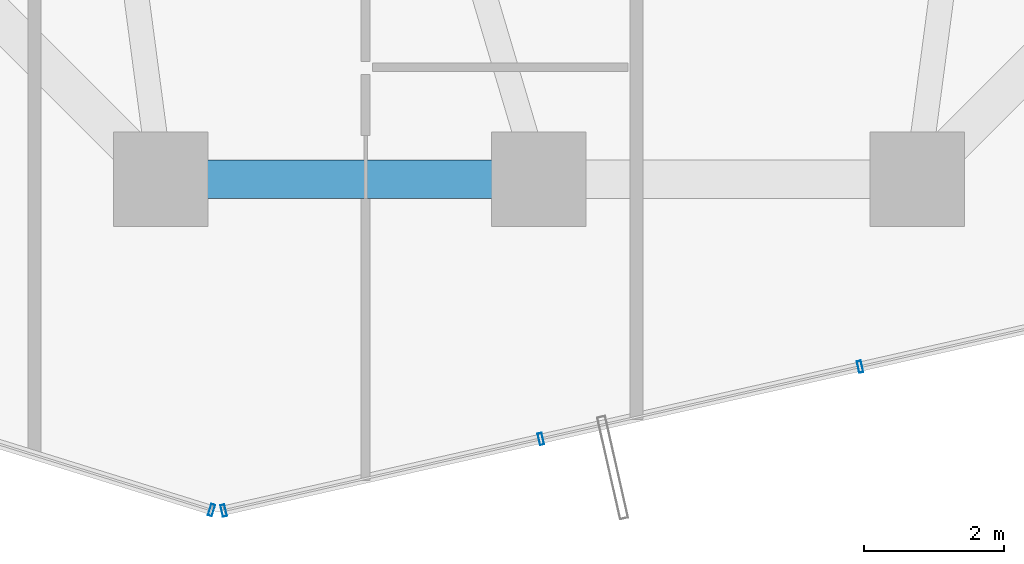
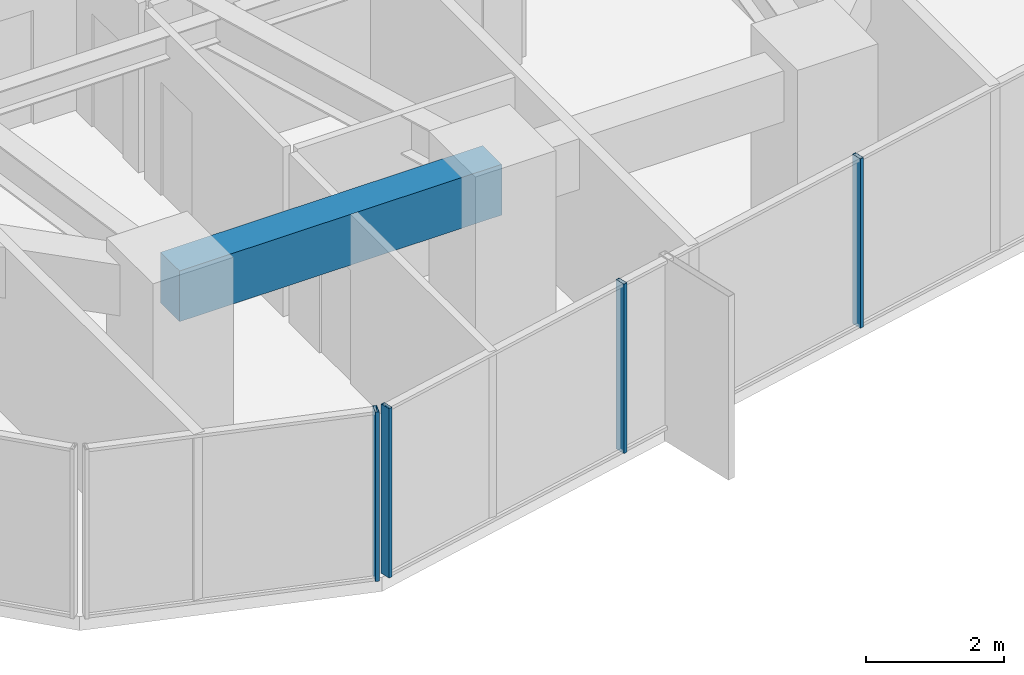
# One storey, part 6 of 39: 4 members, 1 beam, 2 elements without a shape of their own.
"""IFC4 building model written with IfcOpenShell, lengths in metres."""

from ifc_helpers import new_model, si_unit, direction, frame, origin, origin_2d, place, context, subcontext, project, spatial, rectangle, hollow_rectangle, extrude, source, transform, mapped, material, layer, layer_set, material_profile, profile_set, type_object, element, aggregate, save


model = new_model("IFC4")

# Units and contexts
model_context = context("Model", 3, precision=1e-05, world=origin(), true_north=direction((0.0, 1.0)))
body_context = subcontext(model_context, "Body", "Model", "MODEL_VIEW")
ifc_project = project(units=[si_unit("LENGTHUNIT", "METRE"), si_unit("AREAUNIT", "SQUARE_METRE"), si_unit("VOLUMEUNIT", "CUBIC_METRE"), si_unit("PLANEANGLEUNIT", "RADIAN"), si_unit("MASSUNIT", "GRAM", prefix="KILO")], contexts=[model_context])

# Site, building, storey
site_placement = place(None, origin())
site = spatial("IfcSite", under=ifc_project, at=site_placement, CompositionType="ELEMENT")
building_placement = place(site_placement, origin())
building = spatial("IfcBuilding", under=site, at=building_placement, Name="Veraguas Prism Commons", CompositionType="ELEMENT")
storey_placement = place(building_placement, frame((0.0, 0.0, 67.35009765625)))
storey = spatial("IfcBuildingStorey", under=building, at=storey_placement, Name="L18", CompositionType="ELEMENT", Elevation=67.35009765625)

# Beam
ifc_material_1 = material(Name="Concrete C50/60", Category="concrete")
ifc_material_profile_1 = material_profile(ifc_material_1, rectangle(XDim=0.550048828125, YDim=0.89990234375, at=origin_2d()), Name="RC550X900")
ifc_profile_set_1 = profile_set([ifc_material_profile_1], Name="Concrete C50/60")
beam_type = type_object("IfcBeamType", Name="Perimeter Spandrel Lower RC 550x900", PredefinedType="SPANDREL", material=ifc_profile_set_1)
beam_placement = place(storey_placement, frame((18.60009765625, 6.39990234375, 2.5498046875), z_axis=(1.0, 0.0, 0.0), x_axis=(0.0, 1.0, 0.0)))
element("IfcBeam", 1, at=beam_placement, inside=storey, type_object=beam_type, Name="Perimeter Spandrel Beam L18-SP10", PredefinedType="SPANDREL", context=body_context, shape_type="SweptSolid", body=[
    extrude(rectangle(XDim=0.550048828125, YDim=0.89990234375, at=origin_2d()), origin(), (0.0, 0.0, 1.0), 5.39990234375),
])

# Curtain wall, members
ifc_material_2 = material(Name="Anodised aluminium EN AW-6063 T6", Category="aluminium")
ifc_layer = layer(ifc_material_2, 0.169921875, Name="Unitised Flush Curtain Wall Zone 1", Category="aluminium")
ifc_layer_set = layer_set([ifc_layer], Name="Anodised aluminium EN AW-6063 T6")
curtain_wall_type = type_object("IfcCurtainWallType", Name="Unitised Flush Curtain Wall Zone 1", PredefinedType="NOTDEFINED", material=ifc_layer_set)
curtain_wall_1_placement = place(storey_placement, origin())
curtain_wall_1 = element("IfcCurtainWall", 2, at=curtain_wall_1_placement, inside=storey, type_object=curtain_wall_type, Name="Tower Facade Curtain Wall L18-F5", PredefinedType="NOTDEFINED")
ifc_material_profile_2 = material_profile(ifc_material_2, hollow_rectangle(XDim=0.06005859375, YDim=0.169921875, WallThickness=0.00390625, at=origin_2d()), Name="AL60X170X4")
ifc_profile_set_2 = profile_set([ifc_material_profile_2], Name="Anodised aluminium EN AW-6063 T6")
member_type = type_object("IfcMemberType", Name="Curtain Wall Mullion Lower AL 60x170x4", PredefinedType="MULLION", material=ifc_profile_set_2)
shared_shape = source(origin(), body_context, "Body", "SweptSolid", [
    extrude(hollow_rectangle(XDim=0.06005859375, YDim=0.169921875, WallThickness=0.00390625, at=origin_2d()), origin(), (0.0, 0.0, 1.0), 3.0),
])
member_1_placement = place(storey_placement, frame((19.5009765625, 1.673583984375, 0.0), z_axis=(0.0, 0.0, 1.0), x_axis=(0.975379669931, 0.220532309392, 0.0)))
member_1 = element("IfcMember", 3, at=member_1_placement, type_object=member_type, Name="CW-Z1 Mullion 1", PredefinedType="MULLION", context=body_context, shape_type="MappedRepresentation", body=[
    mapped(shared_shape, transform((0.0, 0.0, 0.0), scale=1.0)),
])
member_2_placement = place(storey_placement, frame((24.027587890625, 2.697021484375, 0.0), z_axis=(0.0, 0.0, 1.0), x_axis=(0.975379669931, 0.220532309392, 0.0)))
member_2 = element("IfcMember", 4, at=member_2_placement, type_object=member_type, Name="CW-Z1 Mullion 2", PredefinedType="MULLION", context=body_context, shape_type="MappedRepresentation", body=[
    mapped(shared_shape, transform((0.0, 0.0, 0.0), scale=1.0)),
])
member_3_placement = place(storey_placement, frame((28.58349609375, 3.72705078125, 0.0), z_axis=(0.0, 0.0, 1.0), x_axis=(0.975379669931, 0.220532309392, 0.0)))
member_3 = element("IfcMember", 5, at=member_3_placement, type_object=member_type, Name="CW-Z1 Mullion 3", PredefinedType="MULLION", context=body_context, shape_type="MappedRepresentation", body=[
    mapped(shared_shape, transform((0.0, 0.0, 0.0), scale=1.0)),
])
aggregate(curtain_wall_1, [member_1, member_2, member_3])

# Curtain wall, member
curtain_wall_2_placement = place(storey_placement, origin())
curtain_wall_2 = element("IfcCurtainWall", 6, at=curtain_wall_2_placement, inside=storey, type_object=curtain_wall_type, Name="Chamfer Curtain Wall L18-C5", PredefinedType="NOTDEFINED")
member_4_placement = place(storey_placement, frame((19.3271484375, 1.680419921875, 0.0), z_axis=(0.0, 0.0, 1.0), x_axis=(0.954965584339, -0.296716586541, 0.0)))
member_4 = element("IfcMember", 7, at=member_4_placement, type_object=member_type, Name="CW-Z1 Mullion 2", PredefinedType="MULLION", context=body_context, shape_type="MappedRepresentation", body=[
    mapped(shared_shape, transform((0.0, 0.0, 0.0), scale=1.0)),
])
aggregate(curtain_wall_2, [member_4])

save(model, "model.ifc")
